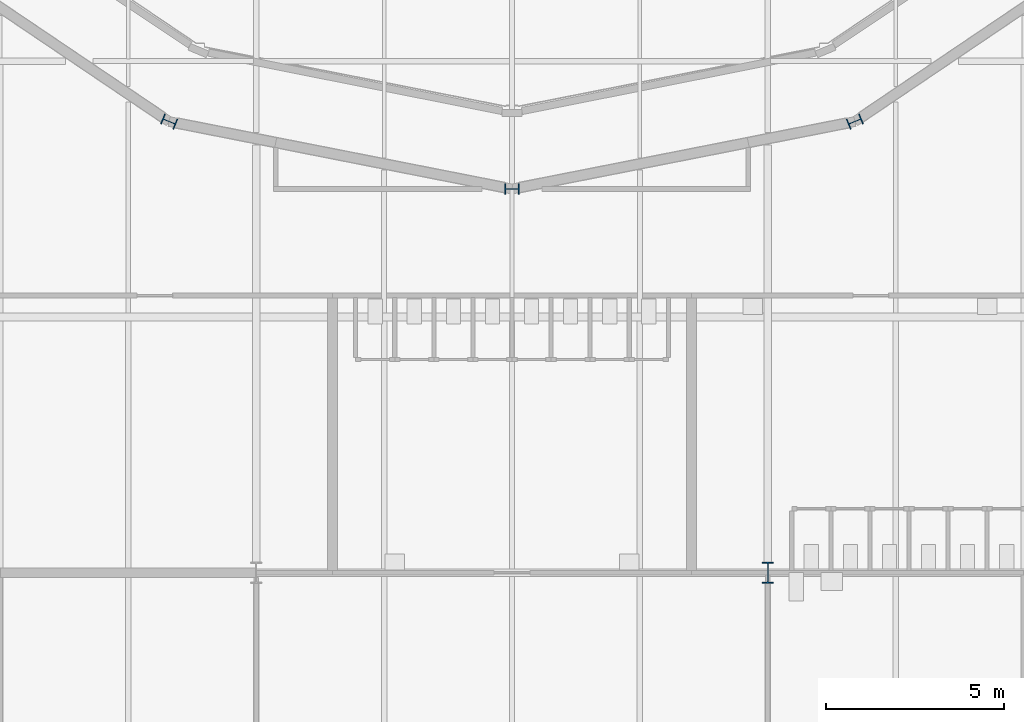
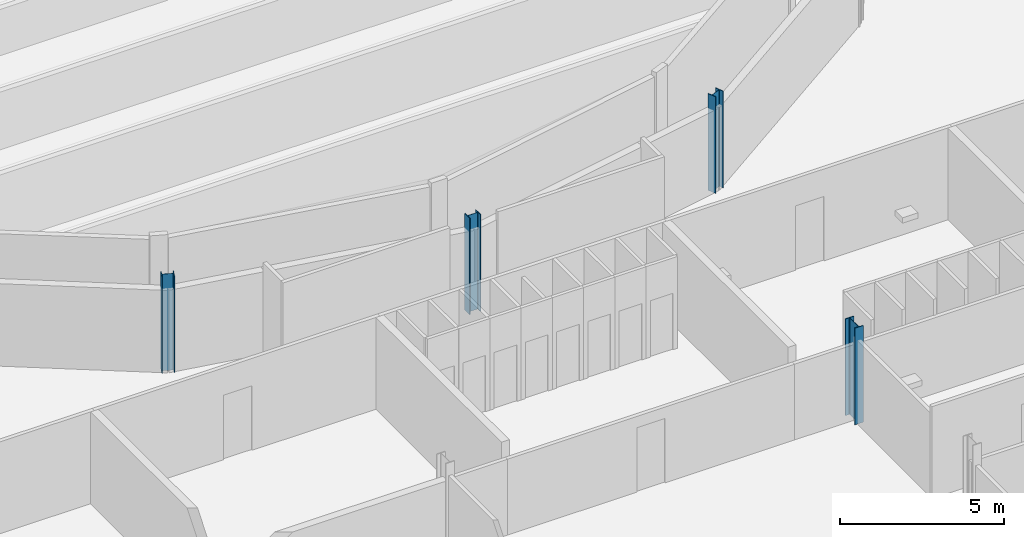
# One storey, part 4 of 90: 4 columns.
"""IFC4 building model written with IfcOpenShell, lengths in metres."""

from ifc_helpers import new_model, si_unit, direction, frame, origin, origin_2d, place, context, subcontext, project, spatial, i_section, extrude, material, material_profile, profile_set, type_object, element, save


model = new_model("IFC4")

# Units and contexts
model_context = context("Model", 3, precision=1e-05, world=origin(), true_north=direction((0.0, 1.0)))
body_context = subcontext(model_context, "Body", "Model", "MODEL_VIEW")
ifc_project = project(units=[si_unit("LENGTHUNIT", "METRE"), si_unit("AREAUNIT", "SQUARE_METRE"), si_unit("VOLUMEUNIT", "CUBIC_METRE"), si_unit("PLANEANGLEUNIT", "RADIAN"), si_unit("MASSUNIT", "GRAM", prefix="KILO")], contexts=[model_context])

# Site, building, storey
site_placement = place(None, origin())
site = spatial("IfcSite", under=ifc_project, at=site_placement, CompositionType="ELEMENT")
building_placement = place(site_placement, origin())
building = spatial("IfcBuilding", under=site, at=building_placement, Name="Kupolbacken Congress Centre", CompositionType="ELEMENT")
storey_placement = place(building_placement, frame((0.0, 0.0, 3.60009765625)))
storey = spatial("IfcBuildingStorey", under=building, at=storey_placement, Name="L01", CompositionType="ELEMENT", Elevation=3.60009765625)

# Columns
ifc_material_1 = material(Name="Steel S355", Category="steel")
ifc_material_profile_1 = material_profile(ifc_material_1, i_section(OverallWidth=0.300048828125, OverallDepth=0.60009765625, WebThickness=0.015380859375, FlangeThickness=0.030029296875, FilletRadius=0.027099609375, at=origin_2d()), Name="HEB 600")
ifc_profile_set_1 = profile_set([ifc_material_profile_1], Name="Steel S355")
column_type_1 = type_object("IfcColumnType", Name="C05 column HEB 600", PredefinedType="COLUMN", material=ifc_profile_set_1)
column_placement = place(storey_placement, frame((50.39990234375, 50.39990234375, 0.0), z_axis=(0.0, 0.0, 1.0), x_axis=(1.0, 0.0, 0.0)))
element("IfcColumn", 1, at=column_placement, inside=storey, type_object=column_type_1, Name="S/col/C-F-8H/L01", PredefinedType="COLUMN", context=body_context, shape_type="SweptSolid", body=[
    extrude(i_section(OverallWidth=0.300048828125, OverallDepth=0.60009765625, WebThickness=0.015380859375, FlangeThickness=0.030029296875, FilletRadius=0.027099609375, at=origin_2d()), origin(), (0.0, 0.0, 1.0), 3.599853515625),
])
ifc_material_2 = material(Name="Steel S355", Category="steel")
ifc_material_profile_2 = material_profile(ifc_material_2, i_section(OverallWidth=0.300048828125, OverallDepth=0.39990234375, WebThickness=0.013427734375, FlangeThickness=0.02392578125, FilletRadius=0.027099609375, at=origin_2d()), Name="HEB 400")
ifc_profile_set_2 = profile_set([ifc_material_profile_2], Name="Steel S355")
column_type_2 = type_object("IfcColumnType", Name="C08 column HEB 400", PredefinedType="COLUMN", material=ifc_profile_set_2)
for number, where, z_axis, x_axis, name in (
    (2, (33.550048828125, 63.10009765625, 0.0), (0.0, 0.0, 1.0), (-0.382643629864, -0.923896018243, 0.0), "S/col/C-D12/L01"),
    (3, (43.199951171875, 61.199951171875, 0.0), (0.0, 0.0, 1.0), (0.0, -1.0, 0.0), "S/col/C-D13/L01"),
    (4, (52.85009765625, 63.10009765625, 0.0), (0.0, 0.0, 1.0), (0.382643629864, -0.923896018243, 0.0), "S/col/C-D14/L01"),
):
    element("IfcColumn", number, at=place(storey_placement, frame(where, z_axis=z_axis, x_axis=x_axis)), inside=storey, type_object=column_type_2, Name=name, PredefinedType="COLUMN", context=body_context, shape_type="SweptSolid", body=[
        extrude(i_section(OverallWidth=0.300048828125, OverallDepth=0.39990234375, WebThickness=0.013427734375, FlangeThickness=0.02392578125, FilletRadius=0.027099609375, at=origin_2d()), origin(), (0.0, 0.0, 1.0), 3.599853515625),
    ])

save(model, "model.ifc")
